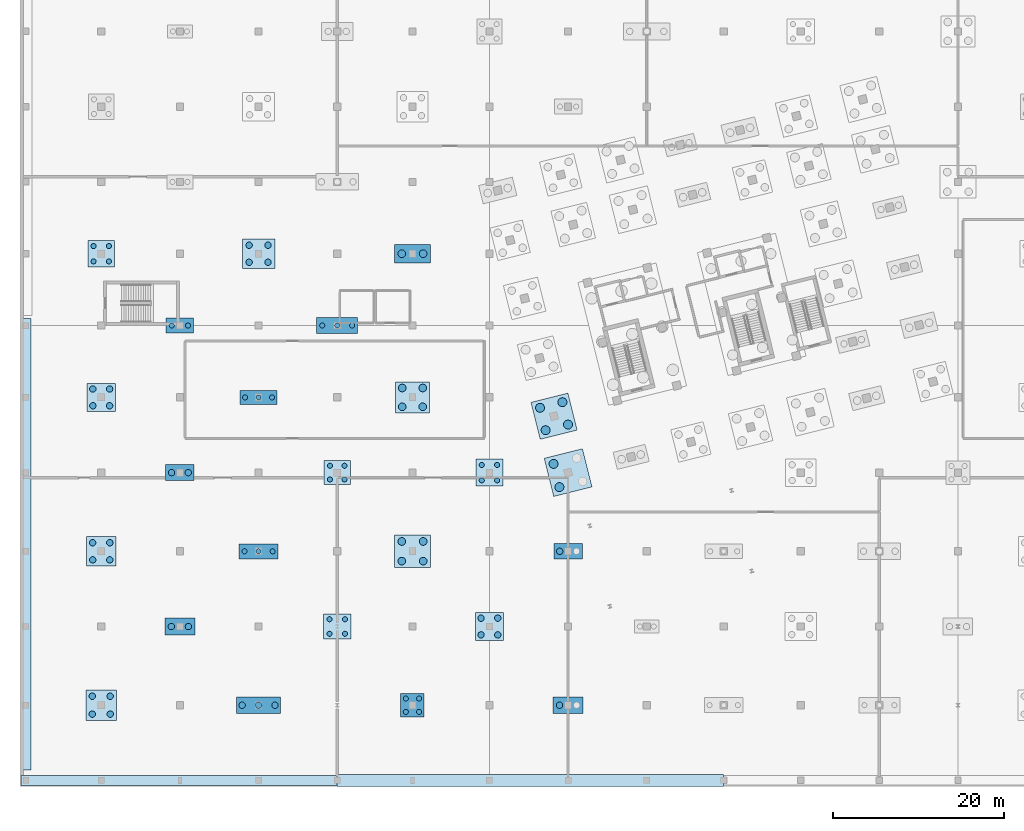
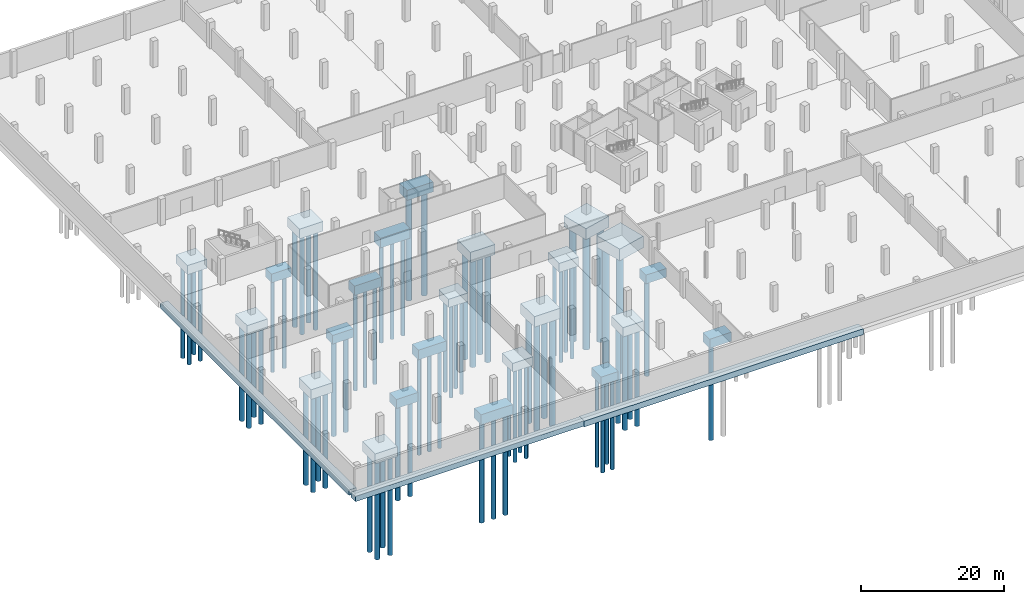
# One storey, part 1 of 29: 76 piles, 27 footings.
"""IFC4 building model written with IfcOpenShell, lengths in metres."""

import ifcopenshell
import ifcopenshell.guid

model = None  # the IFC model being written
_history = None  # IfcOwnerHistory: only IFC2X3 demands one
_inside = {}  # id of a spatial element -> (the spatial element, [elements in it])
_under = {}  # id of a project, library or spatial element -> (it, [spatial elements below it])
_declared = {}  # id of a project -> (the project, [libraries it declares])
_typed = {}  # id of a type object -> (the type object, [elements of that type])
_made_of = {}  # id of a material, layer set ... -> (it, [elements and type objects made of it])


def new_model(schema):
    """Start an empty IFC model of exactly this schema.

    Asked for "IFC4X3", IfcOpenShell would pick the latest addendum, in which some entities
    have other attributes; the version numbers below select the first issue.
    IFC2X3 requires an IfcOwnerHistory on every rooted entity: one is made here for all.
    """
    global model, _history
    if schema == "IFC4X3":
        model = ifcopenshell.file(schema_version=(4, 3, 0, 0))
    else:
        model = ifcopenshell.file(schema=schema)
    _inside.clear()
    _under.clear()
    _declared.clear()
    _typed.clear()
    _made_of.clear()
    _history = None
    if model.schema == "IFC2X3":
        org = make("IfcOrganization", Name="unknown")
        user = make(
            "IfcPersonAndOrganization",
            ThePerson=make("IfcPerson", FamilyName="unknown"),
            TheOrganization=org,
        )
        app = make(
            "IfcApplication",
            ApplicationDeveloper=org,
            Version="unknown",
            ApplicationFullName="unknown",
            ApplicationIdentifier="unknown",
        )
        _history = make(
            "IfcOwnerHistory",
            OwningUser=user,
            OwningApplication=app,
            ChangeAction="ADDED",
            CreationDate=0,
        )
    return model


def make(cls, **values):
    """One entity of the class cls with the attributes given. An attribute that is None is left unset."""
    return model.create_entity(
        cls, **{name: value for name, value in values.items() if value is not None}
    )


def rooted(cls, **values):
    """An entity with a GlobalId (a new one), such as an element, a storey or a relation."""
    return make(cls, GlobalId=ifcopenshell.guid.new(), OwnerHistory=_history, **values)


def si_unit(unit_type, name, prefix=None):
    """IfcSIUnit, for example si_unit("LENGTHUNIT", "METRE", prefix="MILLI")."""
    return make("IfcSIUnit", UnitType=unit_type, Prefix=prefix, Name=name)


def assignment(units):
    """IfcUnitAssignment: the units of a project."""
    return None if units is None else make("IfcUnitAssignment", Units=units)


def point(xyz):
    """IfcCartesianPoint."""
    return None if xyz is None else make("IfcCartesianPoint", Coordinates=xyz)


def direction(xyz):
    """IfcDirection."""
    return None if xyz is None else make("IfcDirection", DirectionRatios=xyz)


def frame(location, z_axis=None, x_axis=None):
    """IfcAxis2Placement3D, a coordinate frame: its origin and axes. An axis left out is left unset."""
    return make(
        "IfcAxis2Placement3D",
        Location=point(location),
        Axis=direction(z_axis),
        RefDirection=direction(x_axis),
    )


def frame_2d(location, x_axis=None):
    """IfcAxis2Placement2D, a coordinate frame in the plane: its origin and x axis."""
    return make(
        "IfcAxis2Placement2D", Location=point(location), RefDirection=direction(x_axis)
    )


def origin():
    """The frame at (0, 0, 0) with its axes left unset."""
    return frame((0.0, 0.0, 0.0))


def origin_2d():
    """The frame at (0, 0) in the plane with its x axis left unset."""
    return frame_2d((0.0, 0.0))


def place(relative_to, where):
    """IfcLocalPlacement: puts the frame where relative to a parent placement (None: the world)."""
    return make(
        "IfcLocalPlacement", PlacementRelTo=relative_to, RelativePlacement=where
    )


def context(
    kind, dimensions, precision=None, world=None, true_north=None, identifier=None
):
    """IfcGeometricRepresentationContext, for example the 3D "Model" context."""
    return make(
        "IfcGeometricRepresentationContext",
        ContextIdentifier=identifier,
        ContextType=kind,
        CoordinateSpaceDimension=dimensions,
        Precision=precision,
        WorldCoordinateSystem=world,
        TrueNorth=true_north,
    )


def subcontext(parent, identifier, kind, view, scale=None):
    """IfcGeometricRepresentationSubContext, for example "Body" below "Model"."""
    return make(
        "IfcGeometricRepresentationSubContext",
        ContextIdentifier=identifier,
        ContextType=kind,
        ParentContext=parent,
        TargetScale=scale,
        TargetView=view,
    )


def project(units=None, contexts=None):
    """IfcProject with its units and contexts."""
    return rooted(
        "IfcProject",
        Name="project",
        RepresentationContexts=contexts,
        UnitsInContext=assignment(units),
    )


def spatial(cls, under=None, at=None, **own):
    """A site, building, storey or space (cls), placed at a placement, below another one or the project."""
    s = rooted(cls, ObjectPlacement=at, **own)
    if under is not None:
        _under.setdefault(under.id(), (under, []))[1].append(s)
    return s


def profile(cls, at=None, kind="AREA", **sizes):
    """A parametric profile (cls). Its sizes go by their IFC names, for example OverallWidth=200.0."""
    return make(cls, ProfileType=kind, Position=at, **sizes)


def rectangle(**sizes):
    """IfcRectangleProfileDef."""
    return profile("IfcRectangleProfileDef", **sizes)


def circle(**sizes):
    """IfcCircleProfileDef."""
    return profile("IfcCircleProfileDef", **sizes)


def extrude(swept, where, along, depth):
    """IfcExtrudedAreaSolid: the profile swept, set in the frame where, extruded along a direction by depth."""
    return make(
        "IfcExtrudedAreaSolid",
        SweptArea=swept,
        Position=where,
        ExtrudedDirection=direction(along),
        Depth=depth,
    )


def shape(context_of_items, identifier, shape_type, items):
    """IfcShapeRepresentation: the items that make up one representation, for example the "Body"."""
    return make(
        "IfcShapeRepresentation",
        ContextOfItems=context_of_items,
        RepresentationIdentifier=identifier,
        RepresentationType=shape_type,
        Items=items,
    )


def material(Name=None, Category=None):
    """IfcMaterial."""
    return make("IfcMaterial", Name=Name, Category=Category)


def layer(
    of_material, thickness, ventilated=None, Name=None, Category=None, Priority=None
):
    """IfcMaterialLayer: one layer of a wall or slab, of a material (None: an air gap)."""
    return make(
        "IfcMaterialLayer",
        Material=of_material,
        LayerThickness=thickness,
        IsVentilated=ventilated,
        Name=Name,
        Category=Category,
        Priority=Priority,
    )


def layer_set(layers, Name=None):
    """IfcMaterialLayerSet."""
    return make("IfcMaterialLayerSet", MaterialLayers=layers, LayerSetName=Name)


def material_profile(
    of_material, cross_section, Name=None, Category=None, Priority=None
):
    """IfcMaterialProfile: a cross section and its material."""
    return make(
        "IfcMaterialProfile",
        Name=Name,
        Material=of_material,
        Profile=cross_section,
        Priority=Priority,
        Category=Category,
    )


def profile_set(profiles, Name=None, composite=None):
    """IfcMaterialProfileSet."""
    return make(
        "IfcMaterialProfileSet",
        Name=Name,
        MaterialProfiles=profiles,
        CompositeProfile=composite,
    )


def made_of(thing, what):
    """Note that an element or type object is made of a material, layer set ...; save() writes the relation."""
    if what is not None:
        _made_of.setdefault(what.id(), (what, []))[1].append(thing)
    return thing


def type_object(cls, material=None, **own):
    """A type object (cls), such as IfcWallType, which elements share."""
    return made_of(rooted(cls, **own), material)


def element(
    cls,
    number,
    at=None,
    inside=None,
    cuts=None,
    type_object=None,
    material=None,
    context=None,
    identifier="Body",
    shape_type=None,
    held_by="IfcProductDefinitionShape",
    body=None,
    shapes=None,
    **own,
):
    """One element of the class cls, such as IfcWall. Its Tag is "e" and its number.

    at: its placement. inside: the storey or other place that contains it. cuts: it is an
    opening in that element (IfcRelVoidsElement). A single representation is given by context,
    identifier, shape_type and body (its items); several are given by shapes. held_by: the class
    of the entity that holds the representations. save() writes the other relations.
    """
    e = rooted(cls, Tag="e%d" % number, ObjectPlacement=at, **own)
    if body is not None:
        shapes = [shape(context, identifier, shape_type, body)]
    if shapes is not None:
        e.Representation = make(held_by, Representations=shapes)
    if inside is not None:
        _inside.setdefault(inside.id(), (inside, []))[1].append(e)
    if cuts is not None:
        rooted(
            "IfcRelVoidsElement", RelatingBuildingElement=cuts, RelatedOpeningElement=e
        )
    if type_object is not None:
        _typed.setdefault(type_object.id(), (type_object, []))[1].append(e)
    return made_of(e, material)


def aggregate(whole, parts):
    """IfcRelAggregates: a whole, such as a stair, and the parts it consists of."""
    return rooted("IfcRelAggregates", RelatingObject=whole, RelatedObjects=parts)


def save(model, path):
    """Write the relations noted so far, then the file.

    IfcRelAggregates (storeys below a building ...), IfcRelContainedInSpatialStructure (elements
    in a storey), IfcRelDefinesByType, IfcRelAssociatesMaterial and IfcRelDeclares: one each for
    every whole, place, type object, material and project.
    """
    for whole, parts in _under.values():
        aggregate(whole, parts)
    for where, things in _inside.values():
        rooted(
            "IfcRelContainedInSpatialStructure",
            RelatedElements=things,
            RelatingStructure=where,
        )
    for kind, things in _typed.values():
        rooted("IfcRelDefinesByType", RelatedObjects=things, RelatingType=kind)
    for what, things in _made_of.values():
        rooted("IfcRelAssociatesMaterial", RelatedObjects=things, RelatingMaterial=what)
    for by, libraries in _declared.values():
        rooted("IfcRelDeclares", RelatingContext=by, RelatedDefinitions=libraries)
    model.write(path)


model = new_model("IFC4")

# Units and contexts
model_context = context("Model", 3, precision=1e-05, world=origin(), true_north=direction((0.0, 1.0)))
body_context = subcontext(model_context, "Body", "Model", "MODEL_VIEW")
ifc_project = project(units=[si_unit("LENGTHUNIT", "METRE"), si_unit("AREAUNIT", "SQUARE_METRE"), si_unit("VOLUMEUNIT", "CUBIC_METRE"), si_unit("PLANEANGLEUNIT", "RADIAN"), si_unit("MASSUNIT", "GRAM", prefix="KILO")], contexts=[model_context])

# Site, building, storey
site_placement = place(None, origin())
site = spatial("IfcSite", under=ifc_project, at=site_placement, CompositionType="ELEMENT")
building_placement = place(site_placement, origin())
building = spatial("IfcBuilding", under=site, at=building_placement, Name="Meriwether Solvik Hall", CompositionType="ELEMENT")
storey_placement = place(building_placement, frame((0.0, 0.0, -9.0)))
storey = spatial("IfcBuildingStorey", under=building, at=storey_placement, Name="B02", CompositionType="ELEMENT", Elevation=-9.0)

# Footings
ifc_material_1 = material(Name="Concrete C40/50", Category="concrete")
ifc_layer_1 = layer(ifc_material_1, 1.39990234375)
ifc_layer_set_1 = layer_set([ifc_layer_1], Name="Concrete C40/50")
footing_type_1 = type_object("IfcFootingType", Name="FTG-PC-2750X2750X1400", PredefinedType="PILE_CAP", material=ifc_layer_set_1)
footing_1_placement = place(storey_placement, frame((50.39990234375, 14.0, -2.0), z_axis=(0.0, 0.0, 1.0), x_axis=(1.0, 0.0, 0.0)))
element("IfcFooting", 1, at=footing_1_placement, inside=storey, type_object=footing_type_1, Name="Pile Cap pod_6_B", PredefinedType="PILE_CAP", context=body_context, shape_type="SweptSolid", body=[
    extrude(rectangle(XDim=2.75, YDim=2.75, at=origin_2d()), origin(), (0.0, 0.0, 1.0), 1.39990234375),
])
ifc_material_2 = material(Name="Concrete C40/50", Category="concrete")
ifc_layer_2 = layer(ifc_material_2, 1.449951171875)
ifc_layer_set_2 = layer_set([ifc_layer_2], Name="Concrete C40/50")
footing_type_2 = type_object("IfcFootingType", Name="FTG-PC-3100X2800X1450", PredefinedType="PILE_CAP", material=ifc_layer_set_2)
footing_2_placement = place(storey_placement, frame((41.60009765625, 41.199951171875, -2.0498046875), z_axis=(0.0, 0.0, 1.0), x_axis=(1.0, 0.0, 0.0)))
element("IfcFooting", 2, at=footing_2_placement, inside=storey, type_object=footing_type_2, Name="Pile Cap pod_5_E", PredefinedType="PILE_CAP", context=body_context, shape_type="SweptSolid", body=[
    extrude(rectangle(XDim=3.10009765625, YDim=2.800048828125, at=origin_2d()), origin(), (0.0, 0.0, 1.0), 1.449951171875),
])
ifc_material_3 = material(Name="Concrete C40/50", Category="concrete")
ifc_layer_3 = layer(ifc_material_3, 1.550048828125)
ifc_layer_set_3 = layer_set([ifc_layer_3], Name="Concrete C40/50")
footing_type_3 = type_object("IfcFootingType", Name="FTG-PC-3150X3150X1550", PredefinedType="PILE_CAP", material=ifc_layer_set_3)
for number, where, z_axis, x_axis, name in (
    (3, (14.0, 66.800048828125, -2.14990234375), (0.0, 0.0, 1.0), (1.0, 0.0, 0.0), "Pile Cap pod_2_H"),
    (4, (59.39990234375, 41.199951171875, -2.14990234375), (0.0, 0.0, 1.0), (1.0, 0.0, 0.0), "Pile Cap pod_7_E"),
):
    element("IfcFooting", number, at=place(storey_placement, frame(where, z_axis=z_axis, x_axis=x_axis)), inside=storey, type_object=footing_type_3, Name=name, PredefinedType="PILE_CAP", context=body_context, shape_type="SweptSolid", body=[
        extrude(rectangle(XDim=3.14990234375, YDim=3.14990234375, at=origin_2d()), origin(), (0.0, 0.0, 1.0), 1.550048828125),
    ])
ifc_material_4 = material(Name="Concrete C40/50", Category="concrete")
ifc_layer_4 = layer(ifc_material_4, 1.5)
ifc_layer_set_4 = layer_set([ifc_layer_4], Name="Concrete C40/50")
footing_type_4 = type_object("IfcFootingType", Name="FTG-PC-3200X1750X1500", PredefinedType="PILE_CAP", material=ifc_layer_set_4)
footing_3_placement = place(storey_placement, frame((23.199951171875, 58.39990234375, -2.10009765625), z_axis=(0.0, 0.0, 1.0), x_axis=(1.0, 0.0, 0.0)))
element("IfcFooting", 5, at=footing_3_placement, inside=storey, type_object=footing_type_4, Name="Pile Cap pod_3_G", PredefinedType="PILE_CAP", context=body_context, shape_type="SweptSolid", body=[
    extrude(rectangle(XDim=3.199951171875, YDim=1.75, at=origin_2d()), origin(), (0.0, 0.0, 1.0), 1.5),
])
ifc_material_5 = material(Name="Concrete C40/50", Category="concrete")
ifc_layer_5 = layer(ifc_material_5, 1.5)
ifc_layer_set_5 = layer_set([ifc_layer_5], Name="Concrete C40/50")
footing_type_5 = type_object("IfcFootingType", Name="FTG-PC-3250X2950X1500", PredefinedType="PILE_CAP", material=ifc_layer_set_5)
footing_4_placement = place(storey_placement, frame((41.60009765625, 23.199951171875, -2.10009765625), z_axis=(0.0, 0.0, 1.0), x_axis=(1.0, 0.0, 0.0)))
element("IfcFooting", 6, at=footing_4_placement, inside=storey, type_object=footing_type_5, Name="Pile Cap pod_5_C", PredefinedType="PILE_CAP", context=body_context, shape_type="SweptSolid", body=[
    extrude(rectangle(XDim=3.25, YDim=2.949951171875, at=origin_2d()), origin(), (0.0, 0.0, 1.0), 1.5),
])
ifc_material_6 = material(Name="Concrete C40/50", Category="concrete")
ifc_layer_6 = layer(ifc_material_6, 1.60009765625)
ifc_layer_set_6 = layer_set([ifc_layer_6], Name="Concrete C40/50")
footing_type_6 = type_object("IfcFootingType", Name="FTG-PC-3300X3300X1600", PredefinedType="PILE_CAP", material=ifc_layer_set_6)
for number, where, z_axis, x_axis, name in (
    (7, (14.0, 50.0, -2.199951171875), (0.0, 0.0, 1.0), (1.0, 0.0, 0.0), "Pile Cap pod_2_F"),
    (8, (59.39990234375, 23.199951171875, -2.199951171875), (0.0, 0.0, 1.0), (1.0, 0.0, 0.0), "Pile Cap pod_7_C"),
):
    element("IfcFooting", number, at=place(storey_placement, frame(where, z_axis=z_axis, x_axis=x_axis)), inside=storey, type_object=footing_type_6, Name=name, PredefinedType="PILE_CAP", context=body_context, shape_type="SweptSolid", body=[
        extrude(rectangle(XDim=3.300048828125, YDim=3.300048828125, at=origin_2d()), origin(), (0.0, 0.0, 1.0), 1.60009765625),
    ])
ifc_material_7 = material(Name="Concrete C40/50", Category="concrete")
ifc_layer_7 = layer(ifc_material_7, 1.5)
ifc_layer_set_7 = layer_set([ifc_layer_7], Name="Concrete C40/50")
footing_type_7 = type_object("IfcFootingType", Name="FTG-PC-3350X1850X1500", PredefinedType="PILE_CAP", material=ifc_layer_set_7)
for number, where, z_axis, x_axis, name in (
    (9, (23.199951171875, 41.199951171875, -2.10009765625), (0.0, 0.0, 1.0), (1.0, 0.0, 0.0), "Pile Cap pod_3_E"),
    (10, (68.60009765625, 32.0, -2.10009765625), (0.0, 0.0, 1.0), (1.0, 0.0, 0.0), "Pile Cap pod_8_D"),
):
    element("IfcFooting", number, at=place(storey_placement, frame(where, z_axis=z_axis, x_axis=x_axis)), inside=storey, type_object=footing_type_7, Name=name, PredefinedType="PILE_CAP", context=body_context, shape_type="SweptSolid", body=[
        extrude(rectangle(XDim=3.35009765625, YDim=1.85009765625, at=origin_2d()), origin(), (0.0, 0.0, 1.0), 1.5),
    ])
ifc_material_8 = material(Name="Concrete C40/50", Category="concrete")
ifc_layer_8 = layer(ifc_material_8, 1.64990234375)
ifc_layer_set_8 = layer_set([ifc_layer_8], Name="Concrete C40/50")
footing_type_8 = type_object("IfcFootingType", Name="FTG-PC-3450X3450X1650", PredefinedType="PILE_CAP", material=ifc_layer_set_8)
footing_5_placement = place(storey_placement, frame((14.0, 32.0, -2.25), z_axis=(0.0, 0.0, 1.0), x_axis=(1.0, 0.0, 0.0)))
element("IfcFooting", 11, at=footing_5_placement, inside=storey, type_object=footing_type_8, Name="Pile Cap pod_2_D", PredefinedType="PILE_CAP", context=body_context, shape_type="SweptSolid", body=[
    extrude(rectangle(XDim=3.449951171875, YDim=3.449951171875, at=origin_2d()), origin(), (0.0, 0.0, 1.0), 1.64990234375),
])
ifc_material_9 = material(Name="Concrete C40/50", Category="concrete")
ifc_layer_9 = layer(ifc_material_9, 1.550048828125)
ifc_layer_set_9 = layer_set([ifc_layer_9], Name="Concrete C40/50")
footing_type_9 = type_object("IfcFootingType", Name="FTG-PC-3500X1950X1550", PredefinedType="PILE_CAP", material=ifc_layer_set_9)
for number, where, z_axis, x_axis, name in (
    (12, (23.199951171875, 23.199951171875, -2.14990234375), (0.0, 0.0, 1.0), (1.0, 0.0, 0.0), "Pile Cap pod_3_C"),
    (13, (68.60009765625, 14.0, -2.14990234375), (0.0, 0.0, 1.0), (1.0, 0.0, 0.0), "Pile Cap pod_8_B"),
):
    element("IfcFooting", number, at=place(storey_placement, frame(where, z_axis=z_axis, x_axis=x_axis)), inside=storey, type_object=footing_type_9, Name=name, PredefinedType="PILE_CAP", context=body_context, shape_type="SweptSolid", body=[
        extrude(rectangle(XDim=3.5, YDim=1.949951171875, at=origin_2d()), origin(), (0.0, 0.0, 1.0), 1.550048828125),
    ])
ifc_material_10 = material(Name="Concrete C40/50", Category="concrete")
ifc_layer_10 = layer(ifc_material_10, 1.699951171875)
ifc_layer_set_10 = layer_set([ifc_layer_10], Name="Concrete C40/50")
footing_type_10 = type_object("IfcFootingType", Name="FTG-PC-3600X3600X1700", PredefinedType="PILE_CAP", material=ifc_layer_set_10)
footing_6_placement = place(storey_placement, frame((14.0, 14.0, -2.2998046875), z_axis=(0.0, 0.0, 1.0), x_axis=(1.0, 0.0, 0.0)))
element("IfcFooting", 14, at=footing_6_placement, inside=storey, type_object=footing_type_10, Name="Pile Cap pod_2_B", PredefinedType="PILE_CAP", context=body_context, shape_type="SweptSolid", body=[
    extrude(rectangle(XDim=3.60009765625, YDim=3.60009765625, at=origin_2d()), origin(), (0.0, 0.0, 1.0), 1.699951171875),
])
ifc_material_11 = material(Name="Concrete C40/50", Category="concrete")
ifc_layer_11 = layer(ifc_material_11, 1.64990234375)
ifc_layer_set_11 = layer_set([ifc_layer_11], Name="Concrete C40/50")
footing_type_11 = type_object("IfcFootingType", Name="FTG-PC-3800X3450X1650", PredefinedType="PILE_CAP", material=ifc_layer_set_11)
footing_7_placement = place(storey_placement, frame((32.39990234375, 66.800048828125, -2.25), z_axis=(0.0, 0.0, 1.0), x_axis=(1.0, 0.0, 0.0)))
element("IfcFooting", 15, at=footing_7_placement, inside=storey, type_object=footing_type_11, Name="Pile Cap pod_4_H", PredefinedType="PILE_CAP", context=body_context, shape_type="SweptSolid", body=[
    extrude(rectangle(XDim=3.800048828125, YDim=3.449951171875, at=origin_2d()), origin(), (0.0, 0.0, 1.0), 1.64990234375),
])
ifc_material_12 = material(Name="Concrete C40/50", Category="concrete")
ifc_layer_12 = layer(ifc_material_12, 1.75)
ifc_layer_set_12 = layer_set([ifc_layer_12], Name="Concrete C40/50")
footing_type_12 = type_object("IfcFootingType", Name="FTG-PC-4000X3650X1750", PredefinedType="PILE_CAP", material=ifc_layer_set_12)
footing_8_placement = place(storey_placement, frame((50.39990234375, 50.0, -2.35009765625), z_axis=(0.0, 0.0, 1.0), x_axis=(1.0, 0.0, 0.0)))
element("IfcFooting", 16, at=footing_8_placement, inside=storey, type_object=footing_type_12, Name="Pile Cap pod_6_F", PredefinedType="PILE_CAP", context=body_context, shape_type="SweptSolid", body=[
    extrude(rectangle(XDim=4.0, YDim=3.64990234375, at=origin_2d()), origin(), (0.0, 0.0, 1.0), 1.75),
])
ifc_material_13 = material(Name="Concrete C40/50", Category="concrete")
ifc_layer_13 = layer(ifc_material_13, 1.800048828125)
ifc_layer_set_13 = layer_set([ifc_layer_13], Name="Concrete C40/50")
footing_type_13 = type_object("IfcFootingType", Name="FTG-PC-4200X3800X1800", PredefinedType="PILE_CAP", material=ifc_layer_set_13)
footing_9_placement = place(storey_placement, frame((50.39990234375, 32.0, -2.39990234375), z_axis=(0.0, 0.0, 1.0), x_axis=(1.0, 0.0, 0.0)))
element("IfcFooting", 17, at=footing_9_placement, inside=storey, type_object=footing_type_13, Name="Pile Cap pod_6_D", PredefinedType="PILE_CAP", context=body_context, shape_type="SweptSolid", body=[
    extrude(rectangle(XDim=4.199951171875, YDim=3.800048828125, at=origin_2d()), origin(), (0.0, 0.0, 1.0), 1.800048828125),
])
ifc_material_14 = material(Name="Concrete C40/50", Category="concrete")
ifc_layer_14 = layer(ifc_material_14, 1.699951171875)
ifc_layer_set_14 = layer_set([ifc_layer_14], Name="Concrete C40/50")
footing_type_14 = type_object("IfcFootingType", Name="FTG-PC-4250X2150X1700", PredefinedType="PILE_CAP", material=ifc_layer_set_14)
footing_10_placement = place(storey_placement, frame((50.39990234375, 66.800048828125, -2.2998046875), z_axis=(0.0, 0.0, 1.0), x_axis=(1.0, 0.0, 0.0)))
element("IfcFooting", 18, at=footing_10_placement, inside=storey, type_object=footing_type_14, Name="Pile Cap pod_6_H", PredefinedType="PILE_CAP", context=body_context, shape_type="SweptSolid", body=[
    extrude(rectangle(XDim=4.25, YDim=2.14990234375, at=origin_2d()), origin(), (0.0, 0.0, 1.0), 1.699951171875),
])
ifc_material_15 = material(Name="Concrete C40/50", Category="concrete")
ifc_layer_15 = layer(ifc_material_15, 1.60009765625)
ifc_layer_set_15 = layer_set([ifc_layer_15], Name="Concrete C40/50")
footing_type_15 = type_object("IfcFootingType", Name="FTG-PC-4350X1650X1600", PredefinedType="PILE_CAP", material=ifc_layer_set_15)
footing_11_placement = place(storey_placement, frame((32.39990234375, 50.0, -2.199951171875), z_axis=(0.0, 0.0, 1.0), x_axis=(1.0, 0.0, 0.0)))
element("IfcFooting", 19, at=footing_11_placement, inside=storey, type_object=footing_type_15, Name="Pile Cap pod_4_F", PredefinedType="PILE_CAP", context=body_context, shape_type="SweptSolid", body=[
    extrude(rectangle(XDim=4.35009765625, YDim=1.64990234375, at=origin_2d()), origin(), (0.0, 0.0, 1.0), 1.60009765625),
])
ifc_material_16 = material(Name="Concrete C40/50", Category="concrete")
ifc_layer_16 = layer(ifc_material_16, 1.89990234375)
ifc_layer_set_16 = layer_set([ifc_layer_16], Name="Concrete C40/50")
footing_type_16 = type_object("IfcFootingType", Name="FTG-PC-4450X4450X1900", PredefinedType="PILE_CAP", material=ifc_layer_set_16)
footing_12_placement = place(storey_placement, frame((66.954833984375, 47.798095703125, -2.5), z_axis=(0.0, 0.0, 1.0), x_axis=(0.970295726276, 0.2419218956, 0.0)))
element("IfcFooting", 20, at=footing_12_placement, inside=storey, type_object=footing_type_16, Name="Pile Cap tw_T1_TB", PredefinedType="PILE_CAP", context=body_context, shape_type="SweptSolid", body=[
    extrude(rectangle(XDim=4.449951171875, YDim=4.449951171875, at=origin_2d()), origin(), (0.0, 0.0, 1.0), 1.89990234375),
])
ifc_material_17 = material(Name="Concrete C40/50", Category="concrete")
ifc_layer_17 = layer(ifc_material_17, 1.64990234375)
ifc_layer_set_17 = layer_set([ifc_layer_17], Name="Concrete C40/50")
footing_type_17 = type_object("IfcFootingType", Name="FTG-PC-4550X1750X1650", PredefinedType="PILE_CAP", material=ifc_layer_set_17)
footing_13_placement = place(storey_placement, frame((32.39990234375, 32.0, -2.25), z_axis=(0.0, 0.0, 1.0), x_axis=(1.0, 0.0, 0.0)))
element("IfcFooting", 21, at=footing_13_placement, inside=storey, type_object=footing_type_17, Name="Pile Cap pod_4_D", PredefinedType="PILE_CAP", context=body_context, shape_type="SweptSolid", body=[
    extrude(rectangle(XDim=4.550048828125, YDim=1.75, at=origin_2d()), origin(), (0.0, 0.0, 1.0), 1.64990234375),
])
ifc_material_18 = material(Name="Concrete C40/50", Category="concrete")
ifc_layer_18 = layer(ifc_material_18, 2.0)
ifc_layer_set_18 = layer_set([ifc_layer_18], Name="Concrete C40/50")
footing_type_18 = type_object("IfcFootingType", Name="FTG-PC-4600X4600X2000", PredefinedType="PILE_CAP", material=ifc_layer_set_18)
footing_14_placement = place(storey_placement, frame((68.60009765625, 41.199951171875, -2.60009765625), z_axis=(0.0, 0.0, 1.0), x_axis=(0.970295726276, 0.2419218956, 0.0)))
element("IfcFooting", 22, at=footing_14_placement, inside=storey, type_object=footing_type_18, Name="Pile Cap tw_T1_TA", PredefinedType="PILE_CAP", context=body_context, shape_type="SweptSolid", body=[
    extrude(rectangle(XDim=4.60009765625, YDim=4.60009765625, at=origin_2d()), origin(), (0.0, 0.0, 1.0), 2.0),
])
ifc_material_19 = material(Name="Concrete C40/50", Category="concrete")
ifc_layer_19 = layer(ifc_material_19, 1.64990234375)
ifc_layer_set_19 = layer_set([ifc_layer_19], Name="Concrete C40/50")
footing_type_19 = type_object("IfcFootingType", Name="FTG-PC-4800X1850X1650", PredefinedType="PILE_CAP", material=ifc_layer_set_19)
footing_15_placement = place(storey_placement, frame((41.60009765625, 58.39990234375, -2.25), z_axis=(0.0, 0.0, 1.0), x_axis=(1.0, 0.0, 0.0)))
element("IfcFooting", 23, at=footing_15_placement, inside=storey, type_object=footing_type_19, Name="Pile Cap pod_5_G", PredefinedType="PILE_CAP", context=body_context, shape_type="SweptSolid", body=[
    extrude(rectangle(XDim=4.800048828125, YDim=1.85009765625, at=origin_2d()), origin(), (0.0, 0.0, 1.0), 1.64990234375),
])
ifc_material_20 = material(Name="Concrete C40/50", Category="concrete")
ifc_layer_20 = layer(ifc_material_20, 1.699951171875)
ifc_layer_set_20 = layer_set([ifc_layer_20], Name="Concrete C40/50")
footing_type_20 = type_object("IfcFootingType", Name="FTG-PC-5150X1900X1700", PredefinedType="PILE_CAP", material=ifc_layer_set_20)
footing_16_placement = place(storey_placement, frame((32.39990234375, 14.0, -2.2998046875), z_axis=(0.0, 0.0, 1.0), x_axis=(1.0, 0.0, 0.0)))
element("IfcFooting", 24, at=footing_16_placement, inside=storey, type_object=footing_type_20, Name="Pile Cap pod_4_B", PredefinedType="PILE_CAP", context=body_context, shape_type="SweptSolid", body=[
    extrude(rectangle(XDim=5.14990234375, YDim=1.89990234375, at=origin_2d()), origin(), (0.0, 0.0, 1.0), 1.699951171875),
])
ifc_material_21 = material(Name="Concrete C40/50", Category="concrete")
ifc_layer_21 = layer(ifc_material_21, 0.89990234375)
ifc_layer_set_21 = layer_set([ifc_layer_21], Name="Concrete C40/50")
footing_type_21 = type_object("IfcFootingType", Name="FTG-SF-1200X900", PredefinedType="STRIP_FOOTING", material=ifc_layer_set_21)
footing_17_placement = place(storey_placement, frame((23.10009765625, 5.199951171875, -1.5), z_axis=(0.0, 0.0, 1.0), x_axis=(1.0, 0.0, 0.0)))
element("IfcFooting", 25, at=footing_17_placement, inside=storey, type_object=footing_type_21, Name="Perimeter Strip Footing SF_S1", PredefinedType="STRIP_FOOTING", context=body_context, shape_type="SweptSolid", body=[
    extrude(rectangle(XDim=37.0, YDim=1.199951171875, at=origin_2d()), origin(), (0.0, 0.0, 1.0), 0.89990234375),
])
footing_18_placement = place(storey_placement, frame((5.199951171875, 32.800048828125, -1.5), z_axis=(0.0, 0.0, 1.0), x_axis=(0.0, 1.0, 0.0)))
element("IfcFooting", 26, at=footing_18_placement, inside=storey, type_object=footing_type_21, Name="Perimeter Strip Footing SF_W1", PredefinedType="STRIP_FOOTING", context=body_context, shape_type="SweptSolid", body=[
    extrude(rectangle(XDim=52.800048828125, YDim=1.199951171875, at=origin_2d()), origin(), (0.0, 0.0, 1.0), 0.89990234375),
])
ifc_material_22 = material(Name="Concrete C40/50", Category="concrete")
ifc_layer_22 = layer(ifc_material_22, 1.0)
ifc_layer_set_22 = layer_set([ifc_layer_22], Name="Concrete C40/50")
footing_type_22 = type_object("IfcFootingType", Name="FTG-SF-1400X1000", PredefinedType="STRIP_FOOTING", material=ifc_layer_set_22)
footing_19_placement = place(storey_placement, frame((64.199951171875, 5.199951171875, -1.60009765625), z_axis=(0.0, 0.0, 1.0), x_axis=(1.0, 0.0, 0.0)))
element("IfcFooting", 27, at=footing_19_placement, inside=storey, type_object=footing_type_22, Name="Perimeter Strip Footing SF_S2", PredefinedType="STRIP_FOOTING", context=body_context, shape_type="SweptSolid", body=[
    extrude(rectangle(XDim=45.199951171875, YDim=1.39990234375, at=origin_2d()), origin(), (0.0, 0.0, 1.0), 1.0),
])

# Piles
ifc_material_23 = material(Name="Concrete C40/50", Category="concrete")
ifc_material_profile_1 = material_profile(ifc_material_23, circle(Radius=0.52490234375, at=origin_2d()), Name="PILE-D1050")
ifc_profile_set_1 = profile_set([ifc_material_profile_1], Name="Concrete C40/50")
pile_type_1 = type_object("IfcPileType", Name="PILE-BORED-1050", PredefinedType="BORED", material=ifc_profile_set_1)
for number, where, z_axis, x_axis, name in (
    (28, (67.580322265625, 39.5029296875, -2.47998046875), (0.0, 0.0, -1.0), (1.0, 0.0, 0.0), "Bored Pile P-019"),
    (29, (66.90283203125, 42.2197265625, -2.47998046875), (0.0, 0.0, -1.0), (1.0, 0.0, 0.0), "Bored Pile P-021"),
):
    element("IfcPile", number, at=place(storey_placement, frame(where, z_axis=z_axis, x_axis=x_axis)), inside=storey, type_object=pile_type_1, Name=name, PredefinedType="BORED", context=body_context, shape_type="SweptSolid", body=[
        extrude(circle(Radius=0.52490234375, at=origin_2d()), origin(), (0.0, 0.0, 1.0), 20.0),
    ])
for number, where, z_axis, x_axis, name in (
    (30, (65.9716796875, 46.16162109375, -2.3798828125), (0.0, 0.0, -1.0), (1.0, 0.0, 0.0), "Bored Pile P-023"),
    (31, (68.59130859375, 46.814697265625, -2.3798828125), (0.0, 0.0, -1.0), (1.0, 0.0, 0.0), "Bored Pile P-024"),
    (32, (65.318359375, 48.78125, -2.3798828125), (0.0, 0.0, -1.0), (1.0, 0.0, 0.0), "Bored Pile P-025"),
    (33, (67.938232421875, 49.4345703125, -2.3798828125), (0.0, 0.0, -1.0), (1.0, 0.0, 0.0), "Bored Pile P-026"),
):
    element("IfcPile", number, at=place(storey_placement, frame(where, z_axis=z_axis, x_axis=x_axis)), inside=storey, type_object=pile_type_1, Name=name, PredefinedType="BORED", context=body_context, shape_type="SweptSolid", body=[
        extrude(circle(Radius=0.52490234375, at=origin_2d()), origin(), (0.0, 0.0, 1.0), 19.5),
    ])
ifc_material_24 = material(Name="Concrete C40/50", Category="concrete")
ifc_material_profile_2 = material_profile(ifc_material_24, circle(Radius=0.300048828125, at=origin_2d()), Name="PILE-D600")
ifc_profile_set_2 = profile_set([ifc_material_profile_2], Name="Concrete C40/50")
pile_type_2 = type_object("IfcPileType", Name="PILE-BORED-600", PredefinedType="BORED", material=ifc_profile_set_2)
for number, where, z_axis, x_axis, name in (
    (34, (13.10009765625, 65.89990234375, -2.030029296875), (0.0, 0.0, -1.0), (1.0, 0.0, 0.0), "Bored Pile P-131"),
    (35, (14.89990234375, 65.89990234375, -2.030029296875), (0.0, 0.0, -1.0), (1.0, 0.0, 0.0), "Bored Pile P-132"),
    (36, (13.10009765625, 67.699951171875, -2.030029296875), (0.0, 0.0, -1.0), (1.0, 0.0, 0.0), "Bored Pile P-133"),
    (37, (14.89990234375, 67.699951171875, -2.030029296875), (0.0, 0.0, -1.0), (1.0, 0.0, 0.0), "Bored Pile P-134"),
    (38, (22.25, 58.39990234375, -1.97998046875), (0.0, 0.0, -1.0), (1.0, 0.0, 0.0), "Bored Pile P-147"),
    (39, (24.14990234375, 58.39990234375, -1.97998046875), (0.0, 0.0, -1.0), (1.0, 0.0, 0.0), "Bored Pile P-148"),
):
    element("IfcPile", number, at=place(storey_placement, frame(where, z_axis=z_axis, x_axis=x_axis)), inside=storey, type_object=pile_type_2, Name=name, PredefinedType="BORED", context=body_context, shape_type="SweptSolid", body=[
        extrude(circle(Radius=0.300048828125, at=origin_2d()), origin(), (0.0, 0.0, 1.0), 16.0),
    ])
for number, where, z_axis, x_axis, name in (
    (40, (30.75, 32.0, -2.1298828125), (0.0, 0.0, -1.0), (1.0, 0.0, 0.0), "Bored Pile P-159"),
    (41, (32.39990234375, 32.0, -2.1298828125), (0.0, 0.0, -1.0), (1.0, 0.0, 0.0), "Bored Pile P-160"),
    (42, (34.050048828125, 32.0, -2.1298828125), (0.0, 0.0, -1.0), (1.0, 0.0, 0.0), "Bored Pile P-161"),
    (43, (30.820068359375, 50.0, -2.080078125), (0.0, 0.0, -1.0), (1.0, 0.0, 0.0), "Bored Pile P-162"),
    (44, (32.39990234375, 50.0, -2.080078125), (0.0, 0.0, -1.0), (1.0, 0.0, 0.0), "Bored Pile P-163"),
    (45, (33.97998046875, 50.0, -2.080078125), (0.0, 0.0, -1.0), (1.0, 0.0, 0.0), "Bored Pile P-164"),
):
    element("IfcPile", number, at=place(storey_placement, frame(where, z_axis=z_axis, x_axis=x_axis)), inside=storey, type_object=pile_type_2, Name=name, PredefinedType="BORED", context=body_context, shape_type="SweptSolid", body=[
        extrude(circle(Radius=0.300048828125, at=origin_2d()), origin(), (0.0, 0.0, 1.0), 17.0),
    ])
for number, where, z_axis, x_axis, name in (
    (46, (40.699951171875, 22.35009765625, -1.97998046875), (0.0, 0.0, -1.0), (1.0, 0.0, 0.0), "Bored Pile P-177"),
    (47, (42.5, 22.35009765625, -1.97998046875), (0.0, 0.0, -1.0), (1.0, 0.0, 0.0), "Bored Pile P-178"),
    (48, (40.699951171875, 24.050048828125, -1.97998046875), (0.0, 0.0, -1.0), (1.0, 0.0, 0.0), "Bored Pile P-179"),
    (49, (42.5, 24.050048828125, -1.97998046875), (0.0, 0.0, -1.0), (1.0, 0.0, 0.0), "Bored Pile P-180"),
    (50, (40.75, 40.39990234375, -1.929931640625), (0.0, 0.0, -1.0), (1.0, 0.0, 0.0), "Bored Pile P-181"),
    (51, (42.449951171875, 40.39990234375, -1.929931640625), (0.0, 0.0, -1.0), (1.0, 0.0, 0.0), "Bored Pile P-182"),
    (52, (40.75, 42.0, -1.929931640625), (0.0, 0.0, -1.0), (1.0, 0.0, 0.0), "Bored Pile P-183"),
    (53, (42.449951171875, 42.0, -1.929931640625), (0.0, 0.0, -1.0), (1.0, 0.0, 0.0), "Bored Pile P-184"),
):
    element("IfcPile", number, at=place(storey_placement, frame(where, z_axis=z_axis, x_axis=x_axis)), inside=storey, type_object=pile_type_2, Name=name, PredefinedType="BORED", context=body_context, shape_type="SweptSolid", body=[
        extrude(circle(Radius=0.300048828125, at=origin_2d()), origin(), (0.0, 0.0, 1.0), 16.0),
    ])
for number, where, z_axis, x_axis, name in (
    (54, (39.85009765625, 58.39990234375, -2.1298828125), (0.0, 0.0, -1.0), (1.0, 0.0, 0.0), "Bored Pile P-185"),
    (55, (41.60009765625, 58.39990234375, -2.1298828125), (0.0, 0.0, -1.0), (1.0, 0.0, 0.0), "Bored Pile P-186"),
    (56, (43.35009765625, 58.39990234375, -2.1298828125), (0.0, 0.0, -1.0), (1.0, 0.0, 0.0), "Bored Pile P-187"),
):
    element("IfcPile", number, at=place(storey_placement, frame(where, z_axis=z_axis, x_axis=x_axis)), inside=storey, type_object=pile_type_2, Name=name, PredefinedType="BORED", context=body_context, shape_type="SweptSolid", body=[
        extrude(circle(Radius=0.300048828125, at=origin_2d()), origin(), (0.0, 0.0, 1.0), 17.0),
    ])
for number, where, z_axis, x_axis, name in (
    (57, (49.6201171875, 13.219970703125, -1.8798828125), (0.0, 0.0, -1.0), (1.0, 0.0, 0.0), "Bored Pile P-195"),
    (58, (51.179931640625, 13.219970703125, -1.8798828125), (0.0, 0.0, -1.0), (1.0, 0.0, 0.0), "Bored Pile P-196"),
    (59, (49.6201171875, 14.780029296875, -1.8798828125), (0.0, 0.0, -1.0), (1.0, 0.0, 0.0), "Bored Pile P-197"),
    (60, (51.179931640625, 14.780029296875, -1.8798828125), (0.0, 0.0, -1.0), (1.0, 0.0, 0.0), "Bored Pile P-198"),
):
    element("IfcPile", number, at=place(storey_placement, frame(where, z_axis=z_axis, x_axis=x_axis)), inside=storey, type_object=pile_type_2, Name=name, PredefinedType="BORED", context=body_context, shape_type="SweptSolid", body=[
        extrude(circle(Radius=0.300048828125, at=origin_2d()), origin(), (0.0, 0.0, 1.0), 15.5),
    ])
for number, where, z_axis, x_axis, name in (
    (61, (58.5, 40.300048828125, -2.030029296875), (0.0, 0.0, -1.0), (1.0, 0.0, 0.0), "Bored Pile P-221"),
    (62, (60.300048828125, 40.300048828125, -2.030029296875), (0.0, 0.0, -1.0), (1.0, 0.0, 0.0), "Bored Pile P-222"),
    (63, (58.5, 42.10009765625, -2.030029296875), (0.0, 0.0, -1.0), (1.0, 0.0, 0.0), "Bored Pile P-223"),
    (64, (60.300048828125, 42.10009765625, -2.030029296875), (0.0, 0.0, -1.0), (1.0, 0.0, 0.0), "Bored Pile P-224"),
):
    element("IfcPile", number, at=place(storey_placement, frame(where, z_axis=z_axis, x_axis=x_axis)), inside=storey, type_object=pile_type_2, Name=name, PredefinedType="BORED", context=body_context, shape_type="SweptSolid", body=[
        extrude(circle(Radius=0.300048828125, at=origin_2d()), origin(), (0.0, 0.0, 1.0), 16.0),
    ])
ifc_material_25 = material(Name="Concrete C40/50", Category="concrete")
ifc_material_profile_3 = material_profile(ifc_material_25, circle(Radius=0.375, at=origin_2d()), Name="PILE-D750")
ifc_profile_set_3 = profile_set([ifc_material_profile_3], Name="Concrete C40/50")
pile_type_3 = type_object("IfcPileType", Name="PILE-BORED-750", PredefinedType="BORED", material=ifc_profile_set_3)
for number, where, z_axis, x_axis, name in (
    (65, (12.949951171875, 12.949951171875, -2.179931640625), (0.0, 0.0, -1.0), (1.0, 0.0, 0.0), "Bored Pile P-119"),
    (66, (15.050048828125, 12.949951171875, -2.179931640625), (0.0, 0.0, -1.0), (1.0, 0.0, 0.0), "Bored Pile P-120"),
    (67, (12.949951171875, 15.050048828125, -2.179931640625), (0.0, 0.0, -1.0), (1.0, 0.0, 0.0), "Bored Pile P-121"),
    (68, (15.050048828125, 15.050048828125, -2.179931640625), (0.0, 0.0, -1.0), (1.0, 0.0, 0.0), "Bored Pile P-122"),
):
    element("IfcPile", number, at=place(storey_placement, frame(where, z_axis=z_axis, x_axis=x_axis)), inside=storey, type_object=pile_type_3, Name=name, PredefinedType="BORED", context=body_context, shape_type="SweptSolid", body=[
        extrude(circle(Radius=0.375, at=origin_2d()), origin(), (0.0, 0.0, 1.0), 17.0),
    ])
for number, where, z_axis, x_axis, name in (
    (69, (13.0, 31.0, -2.1298828125), (0.0, 0.0, -1.0), (1.0, 0.0, 0.0), "Bored Pile P-123"),
    (70, (15.0, 31.0, -2.1298828125), (0.0, 0.0, -1.0), (1.0, 0.0, 0.0), "Bored Pile P-124"),
    (71, (13.0, 33.0, -2.1298828125), (0.0, 0.0, -1.0), (1.0, 0.0, 0.0), "Bored Pile P-125"),
    (72, (15.0, 33.0, -2.1298828125), (0.0, 0.0, -1.0), (1.0, 0.0, 0.0), "Bored Pile P-126"),
    (73, (13.02001953125, 49.02001953125, -2.080078125), (0.0, 0.0, -1.0), (1.0, 0.0, 0.0), "Bored Pile P-127"),
    (74, (14.97998046875, 49.02001953125, -2.080078125), (0.0, 0.0, -1.0), (1.0, 0.0, 0.0), "Bored Pile P-128"),
    (75, (13.02001953125, 50.97998046875, -2.080078125), (0.0, 0.0, -1.0), (1.0, 0.0, 0.0), "Bored Pile P-129"),
    (76, (14.97998046875, 50.97998046875, -2.080078125), (0.0, 0.0, -1.0), (1.0, 0.0, 0.0), "Bored Pile P-130"),
    (77, (22.199951171875, 23.199951171875, -2.030029296875), (0.0, 0.0, -1.0), (1.0, 0.0, 0.0), "Bored Pile P-143"),
    (78, (24.199951171875, 23.199951171875, -2.030029296875), (0.0, 0.0, -1.0), (1.0, 0.0, 0.0), "Bored Pile P-144"),
    (79, (22.219970703125, 41.199951171875, -1.97998046875), (0.0, 0.0, -1.0), (1.0, 0.0, 0.0), "Bored Pile P-145"),
    (80, (24.179931640625, 41.199951171875, -1.97998046875), (0.0, 0.0, -1.0), (1.0, 0.0, 0.0), "Bored Pile P-146"),
):
    element("IfcPile", number, at=place(storey_placement, frame(where, z_axis=z_axis, x_axis=x_axis)), inside=storey, type_object=pile_type_3, Name=name, PredefinedType="BORED", context=body_context, shape_type="SweptSolid", body=[
        extrude(circle(Radius=0.375, at=origin_2d()), origin(), (0.0, 0.0, 1.0), 16.5),
    ])
for number, where, z_axis, x_axis, name in (
    (81, (30.47998046875, 14.0, -2.179931640625), (0.0, 0.0, -1.0), (1.0, 0.0, 0.0), "Bored Pile P-156"),
    (82, (32.39990234375, 14.0, -2.179931640625), (0.0, 0.0, -1.0), (1.0, 0.0, 0.0), "Bored Pile P-157"),
    (83, (34.320068359375, 14.0, -2.179931640625), (0.0, 0.0, -1.0), (1.0, 0.0, 0.0), "Bored Pile P-158"),
):
    element("IfcPile", number, at=place(storey_placement, frame(where, z_axis=z_axis, x_axis=x_axis)), inside=storey, type_object=pile_type_3, Name=name, PredefinedType="BORED", context=body_context, shape_type="SweptSolid", body=[
        extrude(circle(Radius=0.375, at=origin_2d()), origin(), (0.0, 0.0, 1.0), 17.5),
    ])
for number, where, z_axis, x_axis, name in (
    (84, (31.300048828125, 65.800048828125, -2.1298828125), (0.0, 0.0, -1.0), (1.0, 0.0, 0.0), "Bored Pile P-165"),
    (85, (33.5, 65.800048828125, -2.1298828125), (0.0, 0.0, -1.0), (1.0, 0.0, 0.0), "Bored Pile P-166"),
    (86, (31.300048828125, 67.800048828125, -2.1298828125), (0.0, 0.0, -1.0), (1.0, 0.0, 0.0), "Bored Pile P-167"),
    (87, (33.5, 67.800048828125, -2.1298828125), (0.0, 0.0, -1.0), (1.0, 0.0, 0.0), "Bored Pile P-168"),
):
    element("IfcPile", number, at=place(storey_placement, frame(where, z_axis=z_axis, x_axis=x_axis)), inside=storey, type_object=pile_type_3, Name=name, PredefinedType="BORED", context=body_context, shape_type="SweptSolid", body=[
        extrude(circle(Radius=0.375, at=origin_2d()), origin(), (0.0, 0.0, 1.0), 17.0),
    ])
for number, where, z_axis, x_axis, name in (
    (88, (58.419921875, 22.219970703125, -2.080078125), (0.0, 0.0, -1.0), (1.0, 0.0, 0.0), "Bored Pile P-217"),
    (89, (60.3798828125, 22.219970703125, -2.080078125), (0.0, 0.0, -1.0), (1.0, 0.0, 0.0), "Bored Pile P-218"),
    (90, (58.419921875, 24.179931640625, -2.080078125), (0.0, 0.0, -1.0), (1.0, 0.0, 0.0), "Bored Pile P-219"),
    (91, (60.3798828125, 24.179931640625, -2.080078125), (0.0, 0.0, -1.0), (1.0, 0.0, 0.0), "Bored Pile P-220"),
    (92, (67.60009765625, 14.0, -2.030029296875), (0.0, 0.0, -1.0), (1.0, 0.0, 0.0), "Bored Pile P-233"),
    (93, (67.6201171875, 32.0, -1.97998046875), (0.0, 0.0, -1.0), (1.0, 0.0, 0.0), "Bored Pile P-235"),
):
    element("IfcPile", number, at=place(storey_placement, frame(where, z_axis=z_axis, x_axis=x_axis)), inside=storey, type_object=pile_type_3, Name=name, PredefinedType="BORED", context=body_context, shape_type="SweptSolid", body=[
        extrude(circle(Radius=0.375, at=origin_2d()), origin(), (0.0, 0.0, 1.0), 16.5),
    ])
ifc_material_26 = material(Name="Concrete C40/50", Category="concrete")
ifc_material_profile_4 = material_profile(ifc_material_26, circle(Radius=0.449951171875, at=origin_2d()), Name="PILE-D900")
ifc_profile_set_4 = profile_set([ifc_material_profile_4], Name="Concrete C40/50")
pile_type_4 = type_object("IfcPileType", Name="PILE-BORED-900", PredefinedType="BORED", material=ifc_profile_set_4)
for number, where, z_axis, x_axis, name in (
    (94, (49.14990234375, 30.85009765625, -2.280029296875), (0.0, 0.0, -1.0), (1.0, 0.0, 0.0), "Bored Pile P-199"),
    (95, (51.64990234375, 30.85009765625, -2.280029296875), (0.0, 0.0, -1.0), (1.0, 0.0, 0.0), "Bored Pile P-200"),
    (96, (49.14990234375, 33.14990234375, -2.280029296875), (0.0, 0.0, -1.0), (1.0, 0.0, 0.0), "Bored Pile P-201"),
    (97, (51.64990234375, 33.14990234375, -2.280029296875), (0.0, 0.0, -1.0), (1.0, 0.0, 0.0), "Bored Pile P-202"),
    (98, (49.199951171875, 48.89990234375, -2.22998046875), (0.0, 0.0, -1.0), (1.0, 0.0, 0.0), "Bored Pile P-203"),
    (99, (51.60009765625, 48.89990234375, -2.22998046875), (0.0, 0.0, -1.0), (1.0, 0.0, 0.0), "Bored Pile P-204"),
    (100, (49.199951171875, 51.10009765625, -2.22998046875), (0.0, 0.0, -1.0), (1.0, 0.0, 0.0), "Bored Pile P-205"),
    (101, (51.60009765625, 51.10009765625, -2.22998046875), (0.0, 0.0, -1.0), (1.0, 0.0, 0.0), "Bored Pile P-206"),
):
    element("IfcPile", number, at=place(storey_placement, frame(where, z_axis=z_axis, x_axis=x_axis)), inside=storey, type_object=pile_type_4, Name=name, PredefinedType="BORED", context=body_context, shape_type="SweptSolid", body=[
        extrude(circle(Radius=0.449951171875, at=origin_2d()), origin(), (0.0, 0.0, 1.0), 18.5),
    ])
for number, where, z_axis, x_axis, name in (
    (102, (49.14990234375, 66.800048828125, -2.179931640625), (0.0, 0.0, -1.0), (1.0, 0.0, 0.0), "Bored Pile P-207"),
    (103, (51.64990234375, 66.800048828125, -2.179931640625), (0.0, 0.0, -1.0), (1.0, 0.0, 0.0), "Bored Pile P-208"),
):
    element("IfcPile", number, at=place(storey_placement, frame(where, z_axis=z_axis, x_axis=x_axis)), inside=storey, type_object=pile_type_4, Name=name, PredefinedType="BORED", context=body_context, shape_type="SweptSolid", body=[
        extrude(circle(Radius=0.449951171875, at=origin_2d()), origin(), (0.0, 0.0, 1.0), 18.0),
    ])

save(model, "model.ifc")
